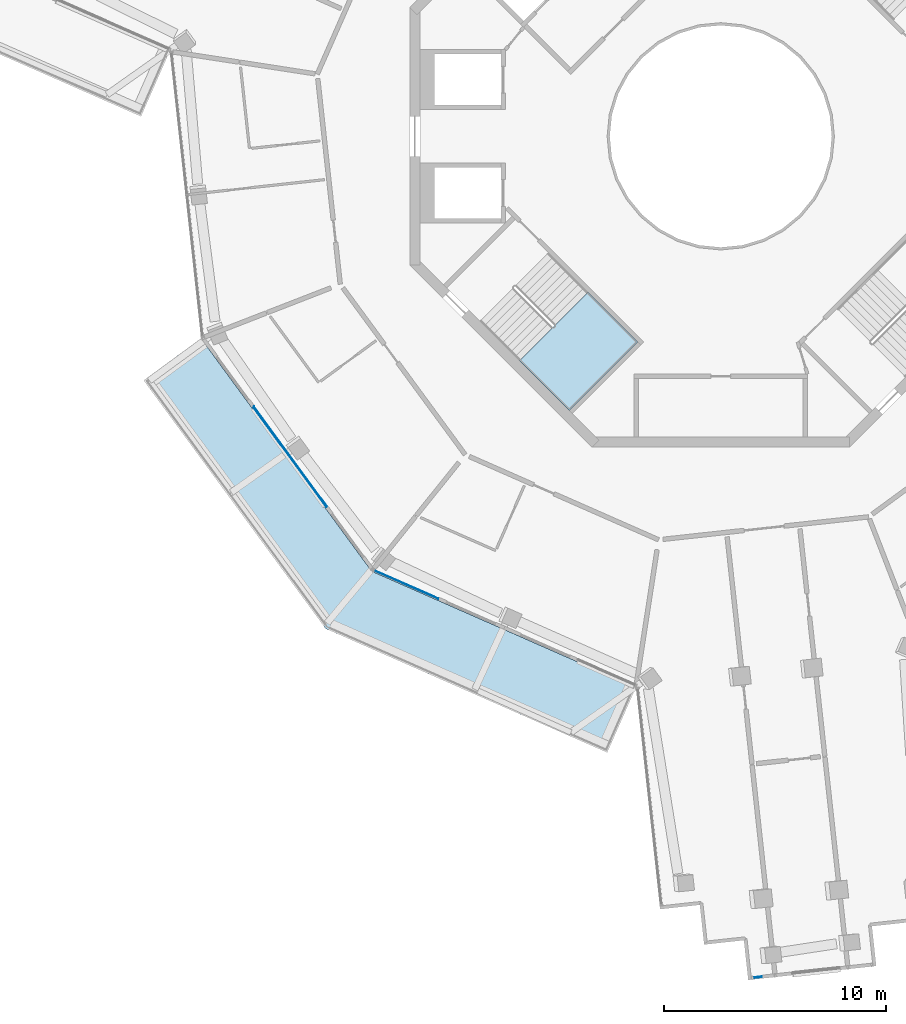
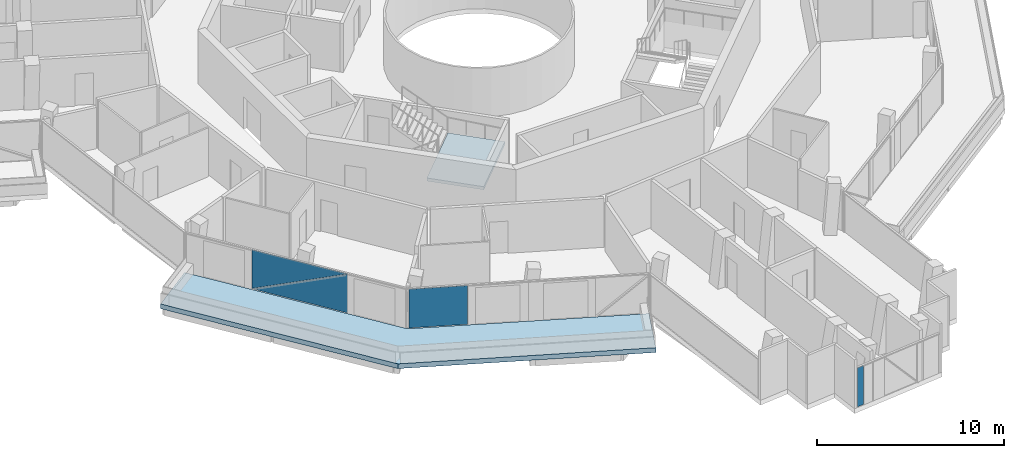
# One storey, part 11 of 24: 4 plates, 2 slabs, 4 elements without a shape of their own.
"""IFC4 building model written with IfcOpenShell, lengths in metres."""

from ifc_helpers import new_model, si_unit, direction, frame, origin, origin_2d, place, context, subcontext, project, spatial, polyline, rectangle, outline, extrude, material, layer, layer_set, type_object, element, aggregate, save


model = new_model("IFC4")

# Units and contexts
model_context = context("Model", 3, precision=1e-05, world=origin(), true_north=direction((0.0, 1.0)))
body_context = subcontext(model_context, "Body", "Model", "MODEL_VIEW")
ifc_project = project(units=[si_unit("LENGTHUNIT", "METRE"), si_unit("AREAUNIT", "SQUARE_METRE"), si_unit("VOLUMEUNIT", "CUBIC_METRE"), si_unit("PLANEANGLEUNIT", "RADIAN"), si_unit("MASSUNIT", "GRAM", prefix="KILO")], contexts=[model_context])

# Site, building, storey
site_placement = place(None, origin())
site = spatial("IfcSite", under=ifc_project, at=site_placement, CompositionType="ELEMENT")
building_placement = place(site_placement, origin())
building = spatial("IfcBuilding", under=site, at=building_placement, Name="Verdalira Terraces Hotel", CompositionType="ELEMENT")
storey_placement = place(building_placement, frame((0.0, 0.0, 303.0)))
storey = spatial("IfcBuildingStorey", under=building, at=storey_placement, Name="L75", CompositionType="ELEMENT", Elevation=303.0)

# Slab
ifc_material_1 = material(Name="Precast concrete C40/50", Category="concrete")
ifc_layer_1 = layer(ifc_material_1, 0.31005859375)
ifc_layer_set_1 = layer_set([ifc_layer_1], Name="Balcony deck 310")
slab_type_1 = type_object("IfcSlabType", Name="Balcony deck 310", PredefinedType="FLOOR", material=ifc_layer_set_1)
slab_1_placement = place(storey_placement, frame((0.0, 0.0, -0.310059)))
element("IfcSlab", 1, at=slab_1_placement, inside=storey, type_object=slab_type_1, Name="Balcony deck", PredefinedType="FLOOR", context=body_context, shape_type="SweptSolid", body=[
    extrude(outline(polyline([(-17.796875, -22.166748), (-5.114014, -27.75), (-3.824707, -24.821045), (-15.7229, -19.583252), (-23.408203, -9.098145), (-25.989014, -10.98999), (-17.796875, -22.166748)])), origin(), (0.0, 0.0, 1.0), 0.310059),
])

# Curtain wall, plates
ifc_material_2 = material(Name="Clear glass", Category="glass")
ifc_layer_2 = layer(ifc_material_2, 0.14990234375)
ifc_layer_set_2 = layer_set([ifc_layer_2], Name="CW1 curtain wall")
curtain_wall_type_1 = type_object("IfcCurtainWallType", Name="CW1 curtain wall", PredefinedType="NOTDEFINED", material=ifc_layer_set_2)
curtain_wall_1_placement = place(storey_placement, origin())
curtain_wall_1 = element("IfcCurtainWall", 2, at=curtain_wall_1_placement, inside=storey, type_object=curtain_wall_type_1, Name="CW1 curtain wall L75 edge 12", PredefinedType="NOTDEFINED")
ifc_material_3 = material(Name="Clear glass", Category="glass")
ifc_layer_3 = layer(ifc_material_3, 0.028076171875)
ifc_layer_set_3 = layer_set([ifc_layer_3], Name="CW1 glass unit 28")
plate_type_1 = type_object("IfcPlateType", Name="CW1 glass unit 28", PredefinedType="CURTAIN_PANEL", material=ifc_layer_set_3)
plate_1_placement = place(storey_placement, frame((-19.387451, -14.43335, 1.262451), z_axis=(-0.806547795, -0.591168888, 0.0), x_axis=(0.591168888, -0.806547795, 0.0)))
plate_1 = element("IfcPlate", 3, at=plate_1_placement, type_object=plate_type_1, Name="CW1 glass unit", PredefinedType="CURTAIN_PANEL", context=body_context, shape_type="SweptSolid", body=[
    extrude(outline(polyline([(-2.792969, -1.262451), (2.792969, -1.262451), (2.792969, 1.262451), (-2.792969, -1.262451)])), origin(), (0.0, 0.0, 1.0), 0.028076),
])
plate_2_placement = place(storey_placement, frame((-19.364014, -14.41626, 1.262451), z_axis=(-0.806547795, -0.591168888, 0.0), x_axis=(0.591168888, -0.806547795, 0.0)))
plate_2 = element("IfcPlate", 4, at=plate_2_placement, type_object=plate_type_1, Name="CW1 glass unit", PredefinedType="CURTAIN_PANEL", context=body_context, shape_type="SweptSolid", body=[
    extrude(outline(polyline([(-2.792969, -1.262451), (2.792969, 1.262451), (-2.792969, 1.262451), (-2.792969, -1.262451)])), origin(), (0.0, 0.0, 1.0), 0.028076),
])
aggregate(curtain_wall_1, [plate_1, plate_2])

# Curtain wall, plate
curtain_wall_2_placement = place(storey_placement, origin())
curtain_wall_2 = element("IfcCurtainWall", 5, at=curtain_wall_2_placement, inside=storey, type_object=curtain_wall_type_1, Name="CW1 curtain wall L75 edge 13", PredefinedType="NOTDEFINED")
plate_3_placement = place(storey_placement, frame((-14.159668, -20.189697, 0.0), z_axis=(0.0, 0.0, 1.0), x_axis=(0.915241173, -0.402906436, 0.0)))
plate_3 = element("IfcPlate", 6, at=plate_3_placement, type_object=plate_type_1, Name="CW1 glass unit", PredefinedType="CURTAIN_PANEL", context=body_context, shape_type="SweptSolid", body=[
    extrude(rectangle(XDim=3.149902, YDim=0.028076, at=origin_2d()), origin(), (0.0, 0.0, 1.0), 2.524902),
])
aggregate(curtain_wall_2, [plate_3])

ifc_material_4 = material(Name="Clear glass", Category="glass")
ifc_layer_4 = layer(ifc_material_4, 0.14990234375)
ifc_layer_set_4 = layer_set([ifc_layer_4], Name="CW3 curtain wall")
curtain_wall_type_2 = type_object("IfcCurtainWallType", Name="CW3 curtain wall", PredefinedType="NOTDEFINED", material=ifc_layer_set_4)
curtain_wall_3_placement = place(storey_placement, origin())
curtain_wall_3 = element("IfcCurtainWall", 7, at=curtain_wall_3_placement, inside=storey, type_object=curtain_wall_type_2, Name="CW3 curtain wall L75 edge 19", PredefinedType="NOTDEFINED")
ifc_material_5 = material(Name="Clear glass", Category="glass")
ifc_layer_5 = layer(ifc_material_5, 0.035888671875)
ifc_layer_set_5 = layer_set([ifc_layer_5], Name="CW3 glass unit 36")
plate_type_2 = type_object("IfcPlateType", Name="CW3 glass unit 36", PredefinedType="CURTAIN_PANEL", material=ifc_layer_set_5)
plate_4_placement = place(storey_placement, frame((1.65625, -37.873047, 0.0), z_axis=(0.0, 0.0, 1.0), x_axis=(0.994075324, 0.108693378, 0.0)))
plate_4 = element("IfcPlate", 8, at=plate_4_placement, type_object=plate_type_2, Name="CW3 glass unit", PredefinedType="CURTAIN_PANEL", context=body_context, shape_type="SweptSolid", body=[
    extrude(rectangle(XDim=0.399902, YDim=0.035889, at=origin_2d()), origin(), (0.0, 0.0, 1.0), 2.524902),
])
aggregate(curtain_wall_3, [plate_4])

# Stair, slab
ifc_material_6 = material(Name="Concrete C40", Category="concrete")
stair_type = type_object("IfcStairType", Name="Core stair 20 risers 2125 mm wide", PredefinedType="HALF_TURN_STAIR", material=ifc_material_6)
stair_placement = place(storey_placement, origin())
stair = element("IfcStair", 9, at=stair_placement, inside=storey, type_object=stair_type, Name="L75 Exit stair ST2", PredefinedType="HALF_TURN_STAIR")
ifc_material_7 = material(Name="Concrete C40", Category="concrete")
ifc_layer_6 = layer(ifc_material_7, 0.199951171875)
ifc_layer_set_6 = layer_set([ifc_layer_6], Name="Core stair landing 200 mm")
slab_type_2 = type_object("IfcSlabType", Name="Core stair landing 200 mm", PredefinedType="LANDING", material=ifc_layer_set_6)
slab_2_placement = place(storey_placement, frame((0.0, 0.0, 1.550049)))
slab_2 = element("IfcSlab", 10, at=slab_2_placement, type_object=slab_type_2, Name="ST2 landing 1", PredefinedType="LANDING", context=body_context, shape_type="SweptSolid", body=[
    extrude(outline(polyline([(-9.054932, -10.107666), (-6.823486, -12.339111), (-3.747559, -9.263184), (-5.979004, -7.031738), (-9.054932, -10.107666)])), origin(), (0.0, 0.0, 1.0), 0.199951),
])
aggregate(stair, [slab_2])

save(model, "model.ifc")
